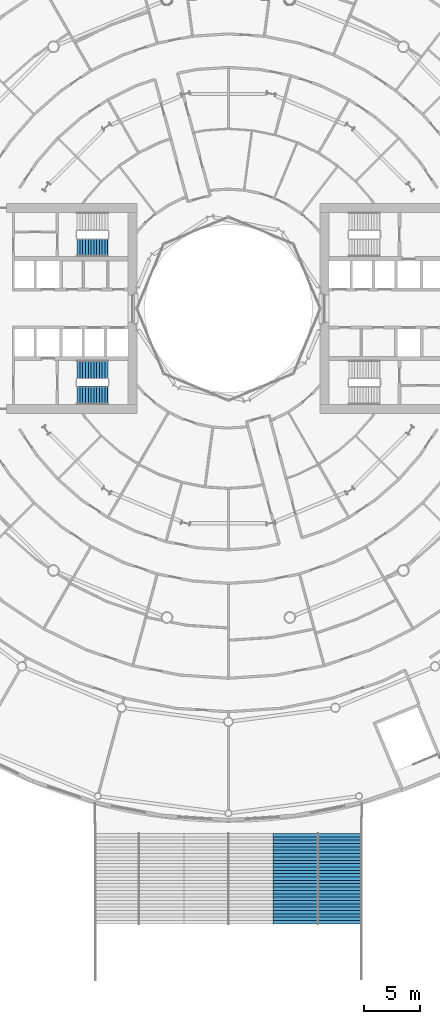
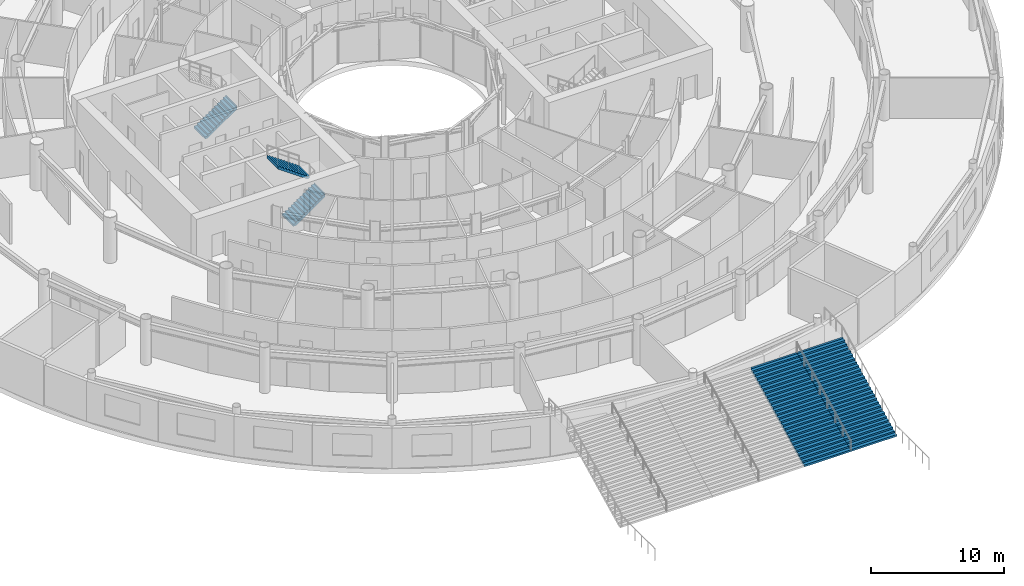
# One storey, part 26 of 29: 5 stair flights, 4 elements without a shape of their own.
"""IFC4 building model written with IfcOpenShell, lengths in metres."""

from ifc_helpers import new_model, si_unit, direction, frame, origin, place, context, subcontext, project, spatial, triangles, material, type_object, element, aggregate, save


model = new_model("IFC4")

# Units and contexts
model_context = context("Model", 3, precision=1e-05, world=origin(), true_north=direction((0.0, 1.0)))
body_context = subcontext(model_context, "Body", "Model", "MODEL_VIEW")
ifc_project = project(units=[si_unit("LENGTHUNIT", "METRE"), si_unit("AREAUNIT", "SQUARE_METRE"), si_unit("VOLUMEUNIT", "CUBIC_METRE"), si_unit("PLANEANGLEUNIT", "RADIAN"), si_unit("MASSUNIT", "GRAM", prefix="KILO")], contexts=[model_context])

# Site, building, storey
site_placement = place(None, origin())
site = spatial("IfcSite", under=ifc_project, at=site_placement, CompositionType="ELEMENT")
building_placement = place(site_placement, origin())
building = spatial("IfcBuilding", under=site, at=building_placement, Name="Maasbend Ring Residences", CompositionType="ELEMENT")
storey_placement = place(building_placement, frame((0.0, 0.0, 5.39990234375)))
storey = spatial("IfcBuildingStorey", under=building, at=storey_placement, Name="L01", CompositionType="ELEMENT", Elevation=5.39990234375)

# Stair, stair flights
ifc_material_1 = material(Name="Concrete C40/50", Category="concrete")
stair_type_1 = type_object("IfcStairType", Name="CORE STAIR 24 RISERS", PredefinedType="HALF_TURN_STAIR", material=ifc_material_1)
stair_1_placement = place(storey_placement, origin())
stair_1 = element("IfcStair", 1, at=stair_1_placement, inside=storey, type_object=stair_type_1, Name="L01 Exit stair ST-W1", PredefinedType="HALF_TURN_STAIR")
ifc_material_2 = material(Name="Concrete C40/50", Category="concrete")
stair_flight_type_1 = type_object("IfcStairFlightType", Name="CORE STAIR FLIGHT 1650", PredefinedType="STRAIGHT", material=ifc_material_2)
stair_flight_1_placement = place(storey_placement, frame((-13.550048828125, -7.77490234375, 0.0), z_axis=(0.0, 0.0, 1.0), x_axis=(1.0, 0.0, 0.0)))
stair_flight_1 = element("IfcStairFlight", 2, at=stair_flight_1_placement, type_object=stair_flight_type_1, Name="ST-W1 flight 1", NumberOfRisers=12, NumberOfTreads=11, PredefinedType="STRAIGHT", RiserHeight=0.175, TreadLength=0.25, context=body_context, shape_type="Tessellation", body=[
    triangles([(0.23583984375, 0.824951171875, -0.02001953125), (2.7529296875, 0.824951171875, 1.741943359375), (2.7529296875, 0.824951171875, 2.10009765625), (2.739990234375, 0.824951171875, 1.925048828125), (2.5, 0.824951171875, 1.925048828125), (2.5, 0.824951171875, 1.75), (2.25, 0.824951171875, 1.75), (2.25, 0.824951171875, 1.574951171875), (2.0, 0.824951171875, 1.574951171875), (2.0, 0.824951171875, 1.39990234375), (1.75, 0.824951171875, 1.39990234375), (1.75, 0.824951171875, 1.22509765625), (1.5, 0.824951171875, 1.22509765625), (1.5, 0.824951171875, 1.050048828125), (1.25, 0.824951171875, 1.050048828125), (1.25, 0.824951171875, 0.875), (1.0, 0.824951171875, 0.875), (1.0, 0.824951171875, 0.699951171875), (0.75, 0.824951171875, 0.699951171875), (0.75, 0.824951171875, 0.52490234375), (0.5, 0.824951171875, 0.52490234375), (0.5, 0.824951171875, 0.35009765625), (0.25, 0.824951171875, 0.35009765625), (0.25, 0.824951171875, 0.175048828125), (0.0, 0.824951171875, 0.175048828125), (0.0, 0.824951171875, 0.0), (-0.0029296875, 0.824951171875, 0.0), (-0.0029296875, 0.824951171875, -0.02001953125), (0.23583984375, -0.824951171875, -0.02001953125), (2.7529296875, -0.824951171875, 1.741943359375), (2.7529296875, -0.824951171875, 2.10009765625), (2.739990234375, -0.824951171875, 1.925048828125), (2.5, -0.824951171875, 1.925048828125), (2.5, -0.824951171875, 1.75), (2.25, -0.824951171875, 1.75), (2.25, -0.824951171875, 1.574951171875), (2.0, -0.824951171875, 1.574951171875), (2.0, -0.824951171875, 1.39990234375), (1.75, -0.824951171875, 1.39990234375), (1.75, -0.824951171875, 1.22509765625), (1.5, -0.824951171875, 1.22509765625), (1.5, -0.824951171875, 1.050048828125), (1.25, -0.824951171875, 1.050048828125), (1.25, -0.824951171875, 0.875), (1.0, -0.824951171875, 0.875), (1.0, -0.824951171875, 0.699951171875), (0.75, -0.824951171875, 0.699951171875), (0.75, -0.824951171875, 0.52490234375), (0.5, -0.824951171875, 0.52490234375), (0.5, -0.824951171875, 0.35009765625), (0.25, -0.824951171875, 0.35009765625), (0.25, -0.824951171875, 0.175048828125), (0.0, -0.824951171875, 0.175048828125), (0.0, -0.824951171875, 0.0), (-0.0029296875, -0.824951171875, 0.0), (-0.0029296875, -0.824951171875, -0.02001953125)], [[1, 2, 30], [1, 30, 29], [2, 3, 31], [2, 31, 30], [3, 4, 32], [3, 32, 31], [4, 5, 33], [4, 33, 32], [5, 6, 34], [5, 34, 33], [6, 7, 35], [6, 35, 34], [7, 8, 36], [7, 36, 35], [8, 9, 37], [8, 37, 36], [9, 10, 38], [9, 38, 37], [10, 11, 39], [10, 39, 38], [11, 12, 40], [11, 40, 39], [12, 13, 41], [12, 41, 40], [13, 14, 42], [13, 42, 41], [14, 15, 43], [14, 43, 42], [15, 16, 44], [15, 44, 43], [16, 17, 45], [16, 45, 44], [17, 18, 46], [17, 46, 45], [18, 19, 47], [18, 47, 46], [19, 20, 48], [19, 48, 47], [20, 21, 49], [20, 49, 48], [21, 22, 50], [21, 50, 49], [22, 23, 51], [22, 51, 50], [23, 24, 52], [23, 52, 51], [24, 25, 53], [24, 53, 52], [25, 26, 54], [25, 54, 53], [26, 27, 55], [26, 55, 54], [27, 28, 56], [27, 56, 55], [28, 1, 29], [28, 29, 56], [28, 2, 1], [2, 4, 3], [2, 5, 4], [2, 6, 5], [28, 6, 2], [6, 8, 7], [28, 8, 6], [8, 10, 9], [28, 10, 8], [10, 12, 11], [28, 12, 10], [12, 14, 13], [28, 14, 12], [14, 16, 15], [28, 16, 14], [16, 18, 17], [28, 18, 16], [18, 20, 19], [28, 20, 18], [20, 22, 21], [28, 22, 20], [22, 24, 23], [28, 24, 22], [24, 26, 25], [28, 26, 24], [26, 28, 27], [56, 29, 30], [30, 31, 32], [30, 32, 33], [30, 33, 34], [56, 30, 34], [34, 35, 36], [56, 34, 36], [36, 37, 38], [56, 36, 38], [38, 39, 40], [56, 38, 40], [40, 41, 42], [56, 40, 42], [42, 43, 44], [56, 42, 44], [44, 45, 46], [56, 44, 46], [46, 47, 48], [56, 46, 48], [48, 49, 50], [56, 48, 50], [50, 51, 52], [56, 50, 52], [52, 53, 54], [56, 52, 54], [54, 55, 56]], closed=True),
])
stair_flight_2_placement = place(storey_placement, frame((-10.800048828125, -5.47509765625, 2.10009765625), z_axis=(0.0, 0.0, 1.0), x_axis=(-1.0, 0.0, 0.0)))
stair_flight_2 = element("IfcStairFlight", 3, at=stair_flight_2_placement, type_object=stair_flight_type_1, Name="ST-W1 flight 2", NumberOfRisers=12, NumberOfTreads=11, PredefinedType="STRAIGHT", RiserHeight=0.175, TreadLength=0.25, context=body_context, shape_type="Tessellation", body=[
    triangles([(0.23583984375, 0.824951171875, -0.02001953125), (2.7529296875, 0.824951171875, 1.741943359375), (2.7529296875, 0.824951171875, 2.10009765625), (2.739990234375, 0.824951171875, 1.925048828125), (2.5, 0.824951171875, 1.925048828125), (2.5, 0.824951171875, 1.75), (2.25, 0.824951171875, 1.75), (2.25, 0.824951171875, 1.574951171875), (2.0, 0.824951171875, 1.574951171875), (2.0, 0.824951171875, 1.39990234375), (1.75, 0.824951171875, 1.39990234375), (1.75, 0.824951171875, 1.22509765625), (1.5, 0.824951171875, 1.22509765625), (1.5, 0.824951171875, 1.050048828125), (1.25, 0.824951171875, 1.050048828125), (1.25, 0.824951171875, 0.875), (1.0, 0.824951171875, 0.875), (1.0, 0.824951171875, 0.699951171875), (0.75, 0.824951171875, 0.699951171875), (0.75, 0.824951171875, 0.52490234375), (0.5, 0.824951171875, 0.52490234375), (0.5, 0.824951171875, 0.35009765625), (0.25, 0.824951171875, 0.35009765625), (0.25, 0.824951171875, 0.175048828125), (0.0, 0.824951171875, 0.175048828125), (0.0, 0.824951171875, 0.0), (-0.0029296875, 0.824951171875, 0.0), (-0.0029296875, 0.824951171875, -0.02001953125), (0.23583984375, -0.824951171875, -0.02001953125), (2.7529296875, -0.824951171875, 1.741943359375), (2.7529296875, -0.824951171875, 2.10009765625), (2.739990234375, -0.824951171875, 1.925048828125), (2.5, -0.824951171875, 1.925048828125), (2.5, -0.824951171875, 1.75), (2.25, -0.824951171875, 1.75), (2.25, -0.824951171875, 1.574951171875), (2.0, -0.824951171875, 1.574951171875), (2.0, -0.824951171875, 1.39990234375), (1.75, -0.824951171875, 1.39990234375), (1.75, -0.824951171875, 1.22509765625), (1.5, -0.824951171875, 1.22509765625), (1.5, -0.824951171875, 1.050048828125), (1.25, -0.824951171875, 1.050048828125), (1.25, -0.824951171875, 0.875), (1.0, -0.824951171875, 0.875), (1.0, -0.824951171875, 0.699951171875), (0.75, -0.824951171875, 0.699951171875), (0.75, -0.824951171875, 0.52490234375), (0.5, -0.824951171875, 0.52490234375), (0.5, -0.824951171875, 0.35009765625), (0.25, -0.824951171875, 0.35009765625), (0.25, -0.824951171875, 0.175048828125), (0.0, -0.824951171875, 0.175048828125), (0.0, -0.824951171875, 0.0), (-0.0029296875, -0.824951171875, 0.0), (-0.0029296875, -0.824951171875, -0.02001953125)], [[1, 2, 30], [1, 30, 29], [2, 3, 31], [2, 31, 30], [3, 4, 32], [3, 32, 31], [4, 5, 33], [4, 33, 32], [5, 6, 34], [5, 34, 33], [6, 7, 35], [6, 35, 34], [7, 8, 36], [7, 36, 35], [8, 9, 37], [8, 37, 36], [9, 10, 38], [9, 38, 37], [10, 11, 39], [10, 39, 38], [11, 12, 40], [11, 40, 39], [12, 13, 41], [12, 41, 40], [13, 14, 42], [13, 42, 41], [14, 15, 43], [14, 43, 42], [15, 16, 44], [15, 44, 43], [16, 17, 45], [16, 45, 44], [17, 18, 46], [17, 46, 45], [18, 19, 47], [18, 47, 46], [19, 20, 48], [19, 48, 47], [20, 21, 49], [20, 49, 48], [21, 22, 50], [21, 50, 49], [22, 23, 51], [22, 51, 50], [23, 24, 52], [23, 52, 51], [24, 25, 53], [24, 53, 52], [25, 26, 54], [25, 54, 53], [26, 27, 55], [26, 55, 54], [27, 28, 56], [27, 56, 55], [28, 1, 29], [28, 29, 56], [28, 2, 1], [2, 4, 3], [2, 5, 4], [2, 6, 5], [28, 6, 2], [6, 8, 7], [28, 8, 6], [8, 10, 9], [28, 10, 8], [10, 12, 11], [28, 12, 10], [12, 14, 13], [28, 14, 12], [14, 16, 15], [28, 16, 14], [16, 18, 17], [28, 18, 16], [18, 20, 19], [28, 20, 18], [20, 22, 21], [28, 22, 20], [22, 24, 23], [28, 24, 22], [24, 26, 25], [28, 26, 24], [26, 28, 27], [56, 29, 30], [30, 31, 32], [30, 32, 33], [30, 33, 34], [56, 30, 34], [34, 35, 36], [56, 34, 36], [36, 37, 38], [56, 36, 38], [38, 39, 40], [56, 38, 40], [40, 41, 42], [56, 40, 42], [42, 43, 44], [56, 42, 44], [44, 45, 46], [56, 44, 46], [46, 47, 48], [56, 46, 48], [48, 49, 50], [56, 48, 50], [50, 51, 52], [56, 50, 52], [52, 53, 54], [56, 52, 54], [54, 55, 56]], closed=True),
])
aggregate(stair_1, [stair_flight_1, stair_flight_2])

# Stair, stair flight
stair_2_placement = place(storey_placement, origin())
stair_2 = element("IfcStair", 4, at=stair_2_placement, inside=storey, type_object=stair_type_1, Name="L01 Exit stair ST-W2", PredefinedType="HALF_TURN_STAIR")
stair_flight_3_placement = place(storey_placement, frame((-13.550048828125, 5.47509765625, 0.0), z_axis=(0.0, 0.0, 1.0), x_axis=(1.0, 0.0, 0.0)))
stair_flight_3 = element("IfcStairFlight", 5, at=stair_flight_3_placement, type_object=stair_flight_type_1, Name="ST-W2 flight 1", NumberOfRisers=12, NumberOfTreads=11, PredefinedType="STRAIGHT", RiserHeight=0.175, TreadLength=0.25, context=body_context, shape_type="Tessellation", body=[
    triangles([(0.23583984375, 0.824951171875, -0.02001953125), (2.7529296875, 0.824951171875, 1.741943359375), (2.7529296875, 0.824951171875, 2.10009765625), (2.739990234375, 0.824951171875, 1.925048828125), (2.5, 0.824951171875, 1.925048828125), (2.5, 0.824951171875, 1.75), (2.25, 0.824951171875, 1.75), (2.25, 0.824951171875, 1.574951171875), (2.0, 0.824951171875, 1.574951171875), (2.0, 0.824951171875, 1.39990234375), (1.75, 0.824951171875, 1.39990234375), (1.75, 0.824951171875, 1.22509765625), (1.5, 0.824951171875, 1.22509765625), (1.5, 0.824951171875, 1.050048828125), (1.25, 0.824951171875, 1.050048828125), (1.25, 0.824951171875, 0.875), (1.0, 0.824951171875, 0.875), (1.0, 0.824951171875, 0.699951171875), (0.75, 0.824951171875, 0.699951171875), (0.75, 0.824951171875, 0.52490234375), (0.5, 0.824951171875, 0.52490234375), (0.5, 0.824951171875, 0.35009765625), (0.25, 0.824951171875, 0.35009765625), (0.25, 0.824951171875, 0.175048828125), (0.0, 0.824951171875, 0.175048828125), (0.0, 0.824951171875, 0.0), (-0.0029296875, 0.824951171875, 0.0), (-0.0029296875, 0.824951171875, -0.02001953125), (0.23583984375, -0.824951171875, -0.02001953125), (2.7529296875, -0.824951171875, 1.741943359375), (2.7529296875, -0.824951171875, 2.10009765625), (2.739990234375, -0.824951171875, 1.925048828125), (2.5, -0.824951171875, 1.925048828125), (2.5, -0.824951171875, 1.75), (2.25, -0.824951171875, 1.75), (2.25, -0.824951171875, 1.574951171875), (2.0, -0.824951171875, 1.574951171875), (2.0, -0.824951171875, 1.39990234375), (1.75, -0.824951171875, 1.39990234375), (1.75, -0.824951171875, 1.22509765625), (1.5, -0.824951171875, 1.22509765625), (1.5, -0.824951171875, 1.050048828125), (1.25, -0.824951171875, 1.050048828125), (1.25, -0.824951171875, 0.875), (1.0, -0.824951171875, 0.875), (1.0, -0.824951171875, 0.699951171875), (0.75, -0.824951171875, 0.699951171875), (0.75, -0.824951171875, 0.52490234375), (0.5, -0.824951171875, 0.52490234375), (0.5, -0.824951171875, 0.35009765625), (0.25, -0.824951171875, 0.35009765625), (0.25, -0.824951171875, 0.175048828125), (0.0, -0.824951171875, 0.175048828125), (0.0, -0.824951171875, 0.0), (-0.0029296875, -0.824951171875, 0.0), (-0.0029296875, -0.824951171875, -0.02001953125)], [[1, 2, 30], [1, 30, 29], [2, 3, 31], [2, 31, 30], [3, 4, 32], [3, 32, 31], [4, 5, 33], [4, 33, 32], [5, 6, 34], [5, 34, 33], [6, 7, 35], [6, 35, 34], [7, 8, 36], [7, 36, 35], [8, 9, 37], [8, 37, 36], [9, 10, 38], [9, 38, 37], [10, 11, 39], [10, 39, 38], [11, 12, 40], [11, 40, 39], [12, 13, 41], [12, 41, 40], [13, 14, 42], [13, 42, 41], [14, 15, 43], [14, 43, 42], [15, 16, 44], [15, 44, 43], [16, 17, 45], [16, 45, 44], [17, 18, 46], [17, 46, 45], [18, 19, 47], [18, 47, 46], [19, 20, 48], [19, 48, 47], [20, 21, 49], [20, 49, 48], [21, 22, 50], [21, 50, 49], [22, 23, 51], [22, 51, 50], [23, 24, 52], [23, 52, 51], [24, 25, 53], [24, 53, 52], [25, 26, 54], [25, 54, 53], [26, 27, 55], [26, 55, 54], [27, 28, 56], [27, 56, 55], [28, 1, 29], [28, 29, 56], [28, 2, 1], [2, 4, 3], [2, 5, 4], [2, 6, 5], [28, 6, 2], [6, 8, 7], [28, 8, 6], [8, 10, 9], [28, 10, 8], [10, 12, 11], [28, 12, 10], [12, 14, 13], [28, 14, 12], [14, 16, 15], [28, 16, 14], [16, 18, 17], [28, 18, 16], [18, 20, 19], [28, 20, 18], [20, 22, 21], [28, 22, 20], [22, 24, 23], [28, 24, 22], [24, 26, 25], [28, 26, 24], [26, 28, 27], [56, 29, 30], [30, 31, 32], [30, 32, 33], [30, 33, 34], [56, 30, 34], [34, 35, 36], [56, 34, 36], [36, 37, 38], [56, 36, 38], [38, 39, 40], [56, 38, 40], [40, 41, 42], [56, 40, 42], [42, 43, 44], [56, 42, 44], [44, 45, 46], [56, 44, 46], [46, 47, 48], [56, 46, 48], [48, 49, 50], [56, 48, 50], [50, 51, 52], [56, 50, 52], [52, 53, 54], [56, 52, 54], [54, 55, 56]], closed=True),
])
aggregate(stair_2, [stair_flight_3])

ifc_material_3 = material(Name="Concrete C35/45", Category="concrete")
stair_type_2 = type_object("IfcStairType", Name="ST-BROAD", PredefinedType="STRAIGHT_RUN_STAIR", material=ifc_material_3)
stair_3_placement = place(storey_placement, origin())
stair_3 = element("IfcStair", 6, at=stair_3_placement, inside=storey, type_object=stair_type_2, Name="Broad stair upper flight E", PredefinedType="STRAIGHT_RUN_STAIR")
ifc_material_4 = material(Name="Concrete C35/45", Category="concrete")
stair_flight_type_2 = type_object("IfcStairFlightType", Name="ST-BROAD-FL", PredefinedType="STRAIGHT", material=ifc_material_4)
stair_flight_4_placement = place(storey_placement, frame((6.0, -55.10009765625, 0.0), z_axis=(0.0, 0.0, 1.0), x_axis=(0.0, 1.0, 0.0)))
stair_flight_4 = element("IfcStairFlight", 7, at=stair_flight_4_placement, type_object=stair_flight_type_2, Name="ST-B flight 1", NumberOfRisers=28, NumberOfTreads=27, PredefinedType="STRAIGHT", RiserHeight=0.15, TreadLength=0.3, context=body_context, shape_type="Tessellation", body=[
    triangles([(0.298095703125, 2.0, -0.02001953125), (8.10302734375, 2.0, 3.88232421875), (8.10302734375, 2.0, 4.199951171875), (8.090087890625, 2.0, 4.050048828125), (7.800048828125, 2.0, 4.050048828125), (7.800048828125, 2.0, 3.89990234375), (7.5, 2.0, 3.89990234375), (7.5, 2.0, 3.75), (7.199951171875, 2.0, 3.75), (7.199951171875, 2.0, 3.60009765625), (6.89990234375, 2.0, 3.60009765625), (6.89990234375, 2.0, 3.449951171875), (6.60009765625, 2.0, 3.449951171875), (6.60009765625, 2.0, 3.300048828125), (6.300048828125, 2.0, 3.300048828125), (6.300048828125, 2.0, 3.14990234375), (6.0, 2.0, 3.14990234375), (6.0, 2.0, 3.0), (5.699951171875, 2.0, 3.0), (5.699951171875, 2.0, 2.85009765625), (5.39990234375, 2.0, 2.85009765625), (5.39990234375, 2.0, 2.699951171875), (5.10009765625, 2.0, 2.699951171875), (5.10009765625, 2.0, 2.550048828125), (4.800048828125, 2.0, 2.550048828125), (4.800048828125, 2.0, 2.39990234375), (4.5, 2.0, 2.39990234375), (4.5, 2.0, 2.25), (4.199951171875, 2.0, 2.25), (4.199951171875, 2.0, 2.10009765625), (3.89990234375, 2.0, 2.10009765625), (3.89990234375, 2.0, 1.949951171875), (3.60009765625, 2.0, 1.949951171875), (3.60009765625, 2.0, 1.800048828125), (3.300048828125, 2.0, 1.800048828125), (3.300048828125, 2.0, 1.64990234375), (3.0, 2.0, 1.64990234375), (3.0, 2.0, 1.5), (2.699951171875, 2.0, 1.5), (2.699951171875, 2.0, 1.35009765625), (2.39990234375, 2.0, 1.35009765625), (2.39990234375, 2.0, 1.199951171875), (2.10009765625, 2.0, 1.199951171875), (2.10009765625, 2.0, 1.050048828125), (1.800048828125, 2.0, 1.050048828125), (1.800048828125, 2.0, 0.89990234375), (1.5, 2.0, 0.89990234375), (1.5, 2.0, 0.75), (1.199951171875, 2.0, 0.75), (1.199951171875, 2.0, 0.60009765625), (0.89990234375, 2.0, 0.60009765625), (0.89990234375, 2.0, 0.449951171875), (0.60009765625, 2.0, 0.449951171875), (0.60009765625, 2.0, 0.300048828125), (0.300048828125, 2.0, 0.300048828125), (0.300048828125, 2.0, 0.14990234375), (0.0, 2.0, 0.14990234375), (0.0, 2.0, 0.0), (-0.0029296875, 2.0, 0.0), (-0.0029296875, 2.0, -0.02001953125), (0.298095703125, -2.0, -0.02001953125), (8.10302734375, -2.0, 3.88232421875), (8.10302734375, -2.0, 4.199951171875), (8.090087890625, -2.0, 4.050048828125), (7.800048828125, -2.0, 4.050048828125), (7.800048828125, -2.0, 3.89990234375), (7.5, -2.0, 3.89990234375), (7.5, -2.0, 3.75), (7.199951171875, -2.0, 3.75), (7.199951171875, -2.0, 3.60009765625), (6.89990234375, -2.0, 3.60009765625), (6.89990234375, -2.0, 3.449951171875), (6.60009765625, -2.0, 3.449951171875), (6.60009765625, -2.0, 3.300048828125), (6.300048828125, -2.0, 3.300048828125), (6.300048828125, -2.0, 3.14990234375), (6.0, -2.0, 3.14990234375), (6.0, -2.0, 3.0), (5.699951171875, -2.0, 3.0), (5.699951171875, -2.0, 2.85009765625), (5.39990234375, -2.0, 2.85009765625), (5.39990234375, -2.0, 2.699951171875), (5.10009765625, -2.0, 2.699951171875), (5.10009765625, -2.0, 2.550048828125), (4.800048828125, -2.0, 2.550048828125), (4.800048828125, -2.0, 2.39990234375), (4.5, -2.0, 2.39990234375), (4.5, -2.0, 2.25), (4.199951171875, -2.0, 2.25), (4.199951171875, -2.0, 2.10009765625), (3.89990234375, -2.0, 2.10009765625), (3.89990234375, -2.0, 1.949951171875), (3.60009765625, -2.0, 1.949951171875), (3.60009765625, -2.0, 1.800048828125), (3.300048828125, -2.0, 1.800048828125), (3.300048828125, -2.0, 1.64990234375), (3.0, -2.0, 1.64990234375), (3.0, -2.0, 1.5), (2.699951171875, -2.0, 1.5), (2.699951171875, -2.0, 1.35009765625), (2.39990234375, -2.0, 1.35009765625), (2.39990234375, -2.0, 1.199951171875), (2.10009765625, -2.0, 1.199951171875), (2.10009765625, -2.0, 1.050048828125), (1.800048828125, -2.0, 1.050048828125), (1.800048828125, -2.0, 0.89990234375), (1.5, -2.0, 0.89990234375), (1.5, -2.0, 0.75), (1.199951171875, -2.0, 0.75), (1.199951171875, -2.0, 0.60009765625), (0.89990234375, -2.0, 0.60009765625), (0.89990234375, -2.0, 0.449951171875), (0.60009765625, -2.0, 0.449951171875), (0.60009765625, -2.0, 0.300048828125), (0.300048828125, -2.0, 0.300048828125), (0.300048828125, -2.0, 0.14990234375), (0.0, -2.0, 0.14990234375), (0.0, -2.0, 0.0), (-0.0029296875, -2.0, 0.0), (-0.0029296875, -2.0, -0.02001953125)], [[1, 2, 62], [1, 62, 61], [2, 3, 63], [2, 63, 62], [3, 4, 64], [3, 64, 63], [4, 5, 65], [4, 65, 64], [5, 6, 66], [5, 66, 65], [6, 7, 67], [6, 67, 66], [7, 8, 68], [7, 68, 67], [8, 9, 69], [8, 69, 68], [9, 10, 70], [9, 70, 69], [10, 11, 71], [10, 71, 70], [11, 12, 72], [11, 72, 71], [12, 13, 73], [12, 73, 72], [13, 14, 74], [13, 74, 73], [14, 15, 75], [14, 75, 74], [15, 16, 76], [15, 76, 75], [16, 17, 77], [16, 77, 76], [17, 18, 78], [17, 78, 77], [18, 19, 79], [18, 79, 78], [19, 20, 80], [19, 80, 79], [20, 21, 81], [20, 81, 80], [21, 22, 82], [21, 82, 81], [22, 23, 83], [22, 83, 82], [23, 24, 84], [23, 84, 83], [24, 25, 85], [24, 85, 84], [25, 26, 86], [25, 86, 85], [26, 27, 87], [26, 87, 86], [27, 28, 88], [27, 88, 87], [28, 29, 89], [28, 89, 88], [29, 30, 90], [29, 90, 89], [30, 31, 91], [30, 91, 90], [31, 32, 92], [31, 92, 91], [32, 33, 93], [32, 93, 92], [33, 34, 94], [33, 94, 93], [34, 35, 95], [34, 95, 94], [35, 36, 96], [35, 96, 95], [36, 37, 97], [36, 97, 96], [37, 38, 98], [37, 98, 97], [38, 39, 99], [38, 99, 98], [39, 40, 100], [39, 100, 99], [40, 41, 101], [40, 101, 100], [41, 42, 102], [41, 102, 101], [42, 43, 103], [42, 103, 102], [43, 44, 104], [43, 104, 103], [44, 45, 105], [44, 105, 104], [45, 46, 106], [45, 106, 105], [46, 47, 107], [46, 107, 106], [47, 48, 108], [47, 108, 107], [48, 49, 109], [48, 109, 108], [49, 50, 110], [49, 110, 109], [50, 51, 111], [50, 111, 110], [51, 52, 112], [51, 112, 111], [52, 53, 113], [52, 113, 112], [53, 54, 114], [53, 114, 113], [54, 55, 115], [54, 115, 114], [55, 56, 116], [55, 116, 115], [56, 57, 117], [56, 117, 116], [57, 58, 118], [57, 118, 117], [58, 59, 119], [58, 119, 118], [59, 60, 120], [59, 120, 119], [60, 1, 61], [60, 61, 120], [60, 2, 1], [2, 4, 3], [2, 5, 4], [2, 6, 5], [60, 6, 2], [6, 8, 7], [60, 8, 6], [8, 10, 9], [60, 10, 8], [10, 12, 11], [60, 12, 10], [12, 14, 13], [60, 14, 12], [14, 16, 15], [60, 16, 14], [16, 18, 17], [60, 18, 16], [18, 20, 19], [60, 20, 18], [20, 22, 21], [60, 22, 20], [22, 24, 23], [60, 24, 22], [24, 26, 25], [60, 26, 24], [26, 28, 27], [60, 28, 26], [28, 30, 29], [60, 30, 28], [30, 32, 31], [60, 32, 30], [32, 34, 33], [60, 34, 32], [34, 36, 35], [60, 36, 34], [36, 38, 37], [60, 38, 36], [38, 40, 39], [60, 40, 38], [40, 42, 41], [60, 42, 40], [42, 44, 43], [60, 44, 42], [44, 46, 45], [60, 46, 44], [46, 48, 47], [60, 48, 46], [48, 50, 49], [60, 50, 48], [50, 52, 51], [60, 52, 50], [52, 54, 53], [60, 54, 52], [54, 56, 55], [60, 56, 54], [56, 58, 57], [60, 58, 56], [58, 60, 59], [120, 61, 62], [62, 63, 64], [62, 64, 65], [62, 65, 66], [120, 62, 66], [66, 67, 68], [120, 66, 68], [68, 69, 70], [120, 68, 70], [70, 71, 72], [120, 70, 72], [72, 73, 74], [120, 72, 74], [74, 75, 76], [120, 74, 76], [76, 77, 78], [120, 76, 78], [78, 79, 80], [120, 78, 80], [80, 81, 82], [120, 80, 82], [82, 83, 84], [120, 82, 84], [84, 85, 86], [120, 84, 86], [86, 87, 88], [120, 86, 88], [88, 89, 90], [120, 88, 90], [90, 91, 92], [120, 90, 92], [92, 93, 94], [120, 92, 94], [94, 95, 96], [120, 94, 96], [96, 97, 98], [120, 96, 98], [98, 99, 100], [120, 98, 100], [100, 101, 102], [120, 100, 102], [102, 103, 104], [120, 102, 104], [104, 105, 106], [120, 104, 106], [106, 107, 108], [120, 106, 108], [108, 109, 110], [120, 108, 110], [110, 111, 112], [120, 110, 112], [112, 113, 114], [120, 112, 114], [114, 115, 116], [120, 114, 116], [116, 117, 118], [120, 116, 118], [118, 119, 120]], closed=True),
])
aggregate(stair_3, [stair_flight_4])

stair_4_placement = place(storey_placement, origin())
stair_4 = element("IfcStair", 8, at=stair_4_placement, inside=storey, type_object=stair_type_2, Name="Broad stair upper flight F", PredefinedType="STRAIGHT_RUN_STAIR")
stair_flight_5_placement = place(storey_placement, frame((10.0, -55.10009765625, 0.0), z_axis=(0.0, 0.0, 1.0), x_axis=(0.0, 1.0, 0.0)))
stair_flight_5 = element("IfcStairFlight", 9, at=stair_flight_5_placement, type_object=stair_flight_type_2, Name="ST-B flight 1", NumberOfRisers=28, NumberOfTreads=27, PredefinedType="STRAIGHT", RiserHeight=0.15, TreadLength=0.3, context=body_context, shape_type="Tessellation", body=[
    triangles([(0.298095703125, 2.0, -0.02001953125), (8.10302734375, 2.0, 3.88232421875), (8.10302734375, 2.0, 4.199951171875), (8.090087890625, 2.0, 4.050048828125), (7.800048828125, 2.0, 4.050048828125), (7.800048828125, 2.0, 3.89990234375), (7.5, 2.0, 3.89990234375), (7.5, 2.0, 3.75), (7.199951171875, 2.0, 3.75), (7.199951171875, 2.0, 3.60009765625), (6.89990234375, 2.0, 3.60009765625), (6.89990234375, 2.0, 3.449951171875), (6.60009765625, 2.0, 3.449951171875), (6.60009765625, 2.0, 3.300048828125), (6.300048828125, 2.0, 3.300048828125), (6.300048828125, 2.0, 3.14990234375), (6.0, 2.0, 3.14990234375), (6.0, 2.0, 3.0), (5.699951171875, 2.0, 3.0), (5.699951171875, 2.0, 2.85009765625), (5.39990234375, 2.0, 2.85009765625), (5.39990234375, 2.0, 2.699951171875), (5.10009765625, 2.0, 2.699951171875), (5.10009765625, 2.0, 2.550048828125), (4.800048828125, 2.0, 2.550048828125), (4.800048828125, 2.0, 2.39990234375), (4.5, 2.0, 2.39990234375), (4.5, 2.0, 2.25), (4.199951171875, 2.0, 2.25), (4.199951171875, 2.0, 2.10009765625), (3.89990234375, 2.0, 2.10009765625), (3.89990234375, 2.0, 1.949951171875), (3.60009765625, 2.0, 1.949951171875), (3.60009765625, 2.0, 1.800048828125), (3.300048828125, 2.0, 1.800048828125), (3.300048828125, 2.0, 1.64990234375), (3.0, 2.0, 1.64990234375), (3.0, 2.0, 1.5), (2.699951171875, 2.0, 1.5), (2.699951171875, 2.0, 1.35009765625), (2.39990234375, 2.0, 1.35009765625), (2.39990234375, 2.0, 1.199951171875), (2.10009765625, 2.0, 1.199951171875), (2.10009765625, 2.0, 1.050048828125), (1.800048828125, 2.0, 1.050048828125), (1.800048828125, 2.0, 0.89990234375), (1.5, 2.0, 0.89990234375), (1.5, 2.0, 0.75), (1.199951171875, 2.0, 0.75), (1.199951171875, 2.0, 0.60009765625), (0.89990234375, 2.0, 0.60009765625), (0.89990234375, 2.0, 0.449951171875), (0.60009765625, 2.0, 0.449951171875), (0.60009765625, 2.0, 0.300048828125), (0.300048828125, 2.0, 0.300048828125), (0.300048828125, 2.0, 0.14990234375), (0.0, 2.0, 0.14990234375), (0.0, 2.0, 0.0), (-0.0029296875, 2.0, 0.0), (-0.0029296875, 2.0, -0.02001953125), (0.298095703125, -2.0, -0.02001953125), (8.10302734375, -2.0, 3.88232421875), (8.10302734375, -2.0, 4.199951171875), (8.090087890625, -2.0, 4.050048828125), (7.800048828125, -2.0, 4.050048828125), (7.800048828125, -2.0, 3.89990234375), (7.5, -2.0, 3.89990234375), (7.5, -2.0, 3.75), (7.199951171875, -2.0, 3.75), (7.199951171875, -2.0, 3.60009765625), (6.89990234375, -2.0, 3.60009765625), (6.89990234375, -2.0, 3.449951171875), (6.60009765625, -2.0, 3.449951171875), (6.60009765625, -2.0, 3.300048828125), (6.300048828125, -2.0, 3.300048828125), (6.300048828125, -2.0, 3.14990234375), (6.0, -2.0, 3.14990234375), (6.0, -2.0, 3.0), (5.699951171875, -2.0, 3.0), (5.699951171875, -2.0, 2.85009765625), (5.39990234375, -2.0, 2.85009765625), (5.39990234375, -2.0, 2.699951171875), (5.10009765625, -2.0, 2.699951171875), (5.10009765625, -2.0, 2.550048828125), (4.800048828125, -2.0, 2.550048828125), (4.800048828125, -2.0, 2.39990234375), (4.5, -2.0, 2.39990234375), (4.5, -2.0, 2.25), (4.199951171875, -2.0, 2.25), (4.199951171875, -2.0, 2.10009765625), (3.89990234375, -2.0, 2.10009765625), (3.89990234375, -2.0, 1.949951171875), (3.60009765625, -2.0, 1.949951171875), (3.60009765625, -2.0, 1.800048828125), (3.300048828125, -2.0, 1.800048828125), (3.300048828125, -2.0, 1.64990234375), (3.0, -2.0, 1.64990234375), (3.0, -2.0, 1.5), (2.699951171875, -2.0, 1.5), (2.699951171875, -2.0, 1.35009765625), (2.39990234375, -2.0, 1.35009765625), (2.39990234375, -2.0, 1.199951171875), (2.10009765625, -2.0, 1.199951171875), (2.10009765625, -2.0, 1.050048828125), (1.800048828125, -2.0, 1.050048828125), (1.800048828125, -2.0, 0.89990234375), (1.5, -2.0, 0.89990234375), (1.5, -2.0, 0.75), (1.199951171875, -2.0, 0.75), (1.199951171875, -2.0, 0.60009765625), (0.89990234375, -2.0, 0.60009765625), (0.89990234375, -2.0, 0.449951171875), (0.60009765625, -2.0, 0.449951171875), (0.60009765625, -2.0, 0.300048828125), (0.300048828125, -2.0, 0.300048828125), (0.300048828125, -2.0, 0.14990234375), (0.0, -2.0, 0.14990234375), (0.0, -2.0, 0.0), (-0.0029296875, -2.0, 0.0), (-0.0029296875, -2.0, -0.02001953125)], [[1, 2, 62], [1, 62, 61], [2, 3, 63], [2, 63, 62], [3, 4, 64], [3, 64, 63], [4, 5, 65], [4, 65, 64], [5, 6, 66], [5, 66, 65], [6, 7, 67], [6, 67, 66], [7, 8, 68], [7, 68, 67], [8, 9, 69], [8, 69, 68], [9, 10, 70], [9, 70, 69], [10, 11, 71], [10, 71, 70], [11, 12, 72], [11, 72, 71], [12, 13, 73], [12, 73, 72], [13, 14, 74], [13, 74, 73], [14, 15, 75], [14, 75, 74], [15, 16, 76], [15, 76, 75], [16, 17, 77], [16, 77, 76], [17, 18, 78], [17, 78, 77], [18, 19, 79], [18, 79, 78], [19, 20, 80], [19, 80, 79], [20, 21, 81], [20, 81, 80], [21, 22, 82], [21, 82, 81], [22, 23, 83], [22, 83, 82], [23, 24, 84], [23, 84, 83], [24, 25, 85], [24, 85, 84], [25, 26, 86], [25, 86, 85], [26, 27, 87], [26, 87, 86], [27, 28, 88], [27, 88, 87], [28, 29, 89], [28, 89, 88], [29, 30, 90], [29, 90, 89], [30, 31, 91], [30, 91, 90], [31, 32, 92], [31, 92, 91], [32, 33, 93], [32, 93, 92], [33, 34, 94], [33, 94, 93], [34, 35, 95], [34, 95, 94], [35, 36, 96], [35, 96, 95], [36, 37, 97], [36, 97, 96], [37, 38, 98], [37, 98, 97], [38, 39, 99], [38, 99, 98], [39, 40, 100], [39, 100, 99], [40, 41, 101], [40, 101, 100], [41, 42, 102], [41, 102, 101], [42, 43, 103], [42, 103, 102], [43, 44, 104], [43, 104, 103], [44, 45, 105], [44, 105, 104], [45, 46, 106], [45, 106, 105], [46, 47, 107], [46, 107, 106], [47, 48, 108], [47, 108, 107], [48, 49, 109], [48, 109, 108], [49, 50, 110], [49, 110, 109], [50, 51, 111], [50, 111, 110], [51, 52, 112], [51, 112, 111], [52, 53, 113], [52, 113, 112], [53, 54, 114], [53, 114, 113], [54, 55, 115], [54, 115, 114], [55, 56, 116], [55, 116, 115], [56, 57, 117], [56, 117, 116], [57, 58, 118], [57, 118, 117], [58, 59, 119], [58, 119, 118], [59, 60, 120], [59, 120, 119], [60, 1, 61], [60, 61, 120], [60, 2, 1], [2, 4, 3], [2, 5, 4], [2, 6, 5], [60, 6, 2], [6, 8, 7], [60, 8, 6], [8, 10, 9], [60, 10, 8], [10, 12, 11], [60, 12, 10], [12, 14, 13], [60, 14, 12], [14, 16, 15], [60, 16, 14], [16, 18, 17], [60, 18, 16], [18, 20, 19], [60, 20, 18], [20, 22, 21], [60, 22, 20], [22, 24, 23], [60, 24, 22], [24, 26, 25], [60, 26, 24], [26, 28, 27], [60, 28, 26], [28, 30, 29], [60, 30, 28], [30, 32, 31], [60, 32, 30], [32, 34, 33], [60, 34, 32], [34, 36, 35], [60, 36, 34], [36, 38, 37], [60, 38, 36], [38, 40, 39], [60, 40, 38], [40, 42, 41], [60, 42, 40], [42, 44, 43], [60, 44, 42], [44, 46, 45], [60, 46, 44], [46, 48, 47], [60, 48, 46], [48, 50, 49], [60, 50, 48], [50, 52, 51], [60, 52, 50], [52, 54, 53], [60, 54, 52], [54, 56, 55], [60, 56, 54], [56, 58, 57], [60, 58, 56], [58, 60, 59], [120, 61, 62], [62, 63, 64], [62, 64, 65], [62, 65, 66], [120, 62, 66], [66, 67, 68], [120, 66, 68], [68, 69, 70], [120, 68, 70], [70, 71, 72], [120, 70, 72], [72, 73, 74], [120, 72, 74], [74, 75, 76], [120, 74, 76], [76, 77, 78], [120, 76, 78], [78, 79, 80], [120, 78, 80], [80, 81, 82], [120, 80, 82], [82, 83, 84], [120, 82, 84], [84, 85, 86], [120, 84, 86], [86, 87, 88], [120, 86, 88], [88, 89, 90], [120, 88, 90], [90, 91, 92], [120, 90, 92], [92, 93, 94], [120, 92, 94], [94, 95, 96], [120, 94, 96], [96, 97, 98], [120, 96, 98], [98, 99, 100], [120, 98, 100], [100, 101, 102], [120, 100, 102], [102, 103, 104], [120, 102, 104], [104, 105, 106], [120, 104, 106], [106, 107, 108], [120, 106, 108], [108, 109, 110], [120, 108, 110], [110, 111, 112], [120, 110, 112], [112, 113, 114], [120, 112, 114], [114, 115, 116], [120, 114, 116], [116, 117, 118], [120, 116, 118], [118, 119, 120]], closed=True),
])
aggregate(stair_4, [stair_flight_5])

save(model, "model.ifc")
